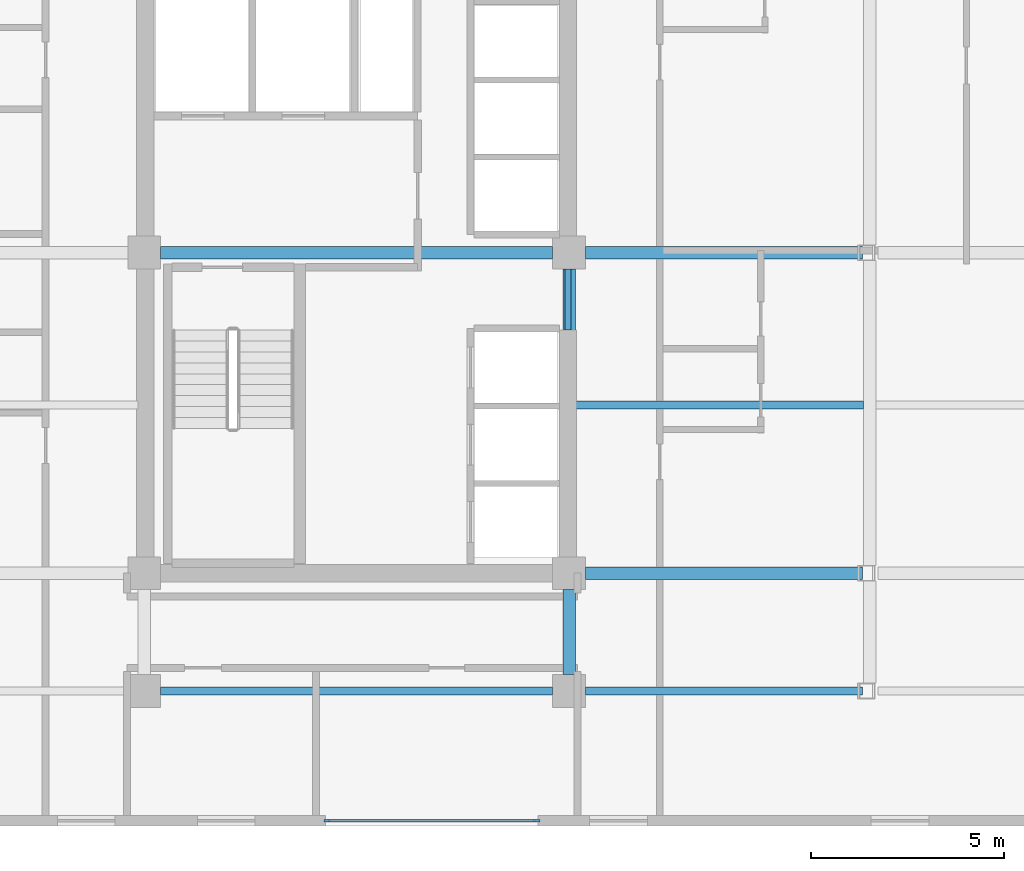
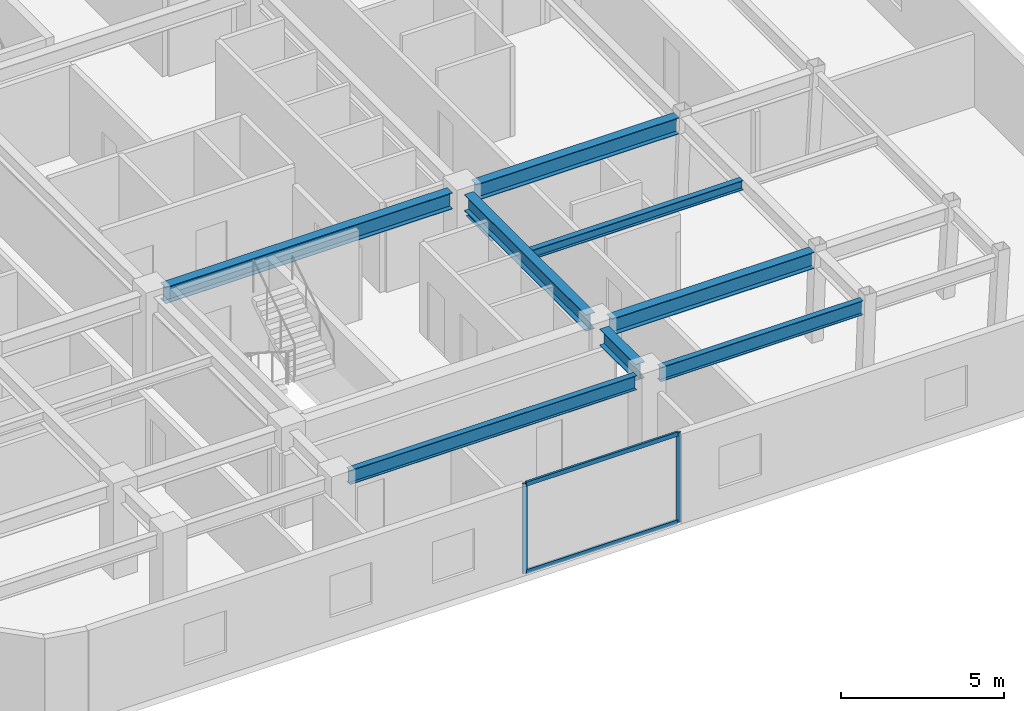
# One storey, part 2 of 9: 9 beams, 4 members, 1 element without a shape of its own.
"""IFC4 building model written with IfcOpenShell, lengths in metres."""

from ifc_helpers import new_model, si_unit, direction, frame, origin, origin_2d, place, context, subcontext, project, spatial, rectangle, i_section, extrude, material, layer, layer_set, material_profile, profile_set, type_object, element, aggregate, save


model = new_model("IFC4")

# Units and contexts
model_context = context("Model", 3, precision=1e-05, world=origin(), true_north=direction((0.0, 1.0)))
body_context = subcontext(model_context, "Body", "Model", "MODEL_VIEW")
ifc_project = project(units=[si_unit("LENGTHUNIT", "METRE"), si_unit("AREAUNIT", "SQUARE_METRE"), si_unit("VOLUMEUNIT", "CUBIC_METRE"), si_unit("PLANEANGLEUNIT", "RADIAN"), si_unit("MASSUNIT", "GRAM", prefix="KILO")], contexts=[model_context])

# Site, building, storey
site_placement = place(None, origin())
site = spatial("IfcSite", under=ifc_project, at=site_placement, CompositionType="ELEMENT")
building_placement = place(site_placement, origin())
building = spatial("IfcBuilding", under=site, at=building_placement, Name="Ochreholt Gables", CompositionType="ELEMENT")
storey_placement = place(building_placement, frame((0.0, 0.0, 84.0)))
storey = spatial("IfcBuildingStorey", under=building, at=storey_placement, Name="L21", CompositionType="ELEMENT", Elevation=84.0)

# Beams
ifc_material_1 = material(Name="Steel CSA G40.21 350W", Category="steel")
ifc_material_profile_1 = material_profile(ifc_material_1, i_section(OverallWidth=0.323974609375, OverallDepth=0.611083984375, WebThickness=0.0126953125, FlangeThickness=0.01904296875, at=origin_2d()), Name="W610X155")
ifc_profile_set_1 = profile_set([ifc_material_profile_1], Name="Steel CSA G40.21 350W")
beam_type_1 = type_object("IfcBeamType", Name="BM-G-W610A", PredefinedType="BEAM", material=ifc_profile_set_1)
beam_1_placement = place(storey_placement, frame((35.62451171875, 9.25, 3.054443359375), z_axis=(1.0, 0.0, 0.0), x_axis=(0.0, 1.0, 0.0)))
element("IfcBeam", 1, at=beam_1_placement, inside=storey, type_object=beam_type_1, Name="L21 Beam TBG-L21-C2EM-Y2", PredefinedType="BEAM", context=body_context, shape_type="SweptSolid", body=[
    extrude(i_section(OverallWidth=0.323974609375, OverallDepth=0.611083984375, WebThickness=0.0126953125, FlangeThickness=0.01904296875, at=origin_2d()), origin(), (0.0, 0.0, 1.0), 7.1748046875),
])
beam_2_placement = place(storey_placement, frame((24.62451171875, 17.550048828125, 3.054443359375), z_axis=(1.0, 0.0, 0.0), x_axis=(0.0, 1.0, 0.0)))
element("IfcBeam", 2, at=beam_2_placement, inside=storey, type_object=beam_type_1, Name="L21 Beam TBG-L21-C1C2-Y3", PredefinedType="BEAM", context=body_context, shape_type="SweptSolid", body=[
    extrude(i_section(OverallWidth=0.323974609375, OverallDepth=0.611083984375, WebThickness=0.0126953125, FlangeThickness=0.01904296875, at=origin_2d()), origin(), (0.0, 0.0, 1.0), 10.15087890625),
])
beam_3_placement = place(storey_placement, frame((35.62451171875, 17.550048828125, 3.054443359375), z_axis=(1.0, 0.0, 0.0), x_axis=(0.0, 1.0, 0.0)))
element("IfcBeam", 3, at=beam_3_placement, inside=storey, type_object=beam_type_1, Name="L21 Beam TBG-L21-C2EM-Y3", PredefinedType="BEAM", context=body_context, shape_type="SweptSolid", body=[
    extrude(i_section(OverallWidth=0.323974609375, OverallDepth=0.611083984375, WebThickness=0.0126953125, FlangeThickness=0.01904296875, at=origin_2d()), origin(), (0.0, 0.0, 1.0), 7.1748046875),
])
beam_4_placement = place(storey_placement, frame((35.199951171875, 6.62451171875, 3.054443359375), z_axis=(0.0, 1.0, 0.0), x_axis=(-1.0, 0.0, 0.0)))
element("IfcBeam", 4, at=beam_4_placement, inside=storey, type_object=beam_type_1, Name="L21 Beam TBN-L21-C2-Y1Y2", PredefinedType="BEAM", context=body_context, shape_type="SweptSolid", body=[
    extrude(i_section(OverallWidth=0.323974609375, OverallDepth=0.611083984375, WebThickness=0.0126953125, FlangeThickness=0.01904296875, at=origin_2d()), origin(), (0.0, 0.0, 1.0), 2.200927734375),
])
beam_5_placement = place(storey_placement, frame((35.199951171875, 9.674560546875, 3.054443359375), z_axis=(0.0, 1.0, 0.0), x_axis=(-1.0, 0.0, 0.0)))
element("IfcBeam", 5, at=beam_5_placement, inside=storey, type_object=beam_type_1, Name="L21 Beam TBN-L21-C2-Y2Y3", PredefinedType="BEAM", context=body_context, shape_type="SweptSolid", body=[
    extrude(i_section(OverallWidth=0.323974609375, OverallDepth=0.611083984375, WebThickness=0.0126953125, FlangeThickness=0.01904296875, at=origin_2d()), origin(), (0.0, 0.0, 1.0), 7.450927734375),
])
ifc_material_profile_2 = material_profile(ifc_material_1, i_section(OverallWidth=0.205078125, OverallDepth=0.35400390625, WebThickness=0.009521484375, FlangeThickness=0.016845703125, at=origin_2d()), Name="W360X79")
ifc_profile_set_2 = profile_set([ifc_material_profile_2], Name="Steel CSA G40.21 350W")
beam_type_2 = type_object("IfcBeamType", Name="BM-J-W360A", PredefinedType="JOIST", material=ifc_profile_set_2)
beam_6_placement = place(storey_placement, frame((35.361572265625, 13.60009765625, 3.18310546875), z_axis=(1.0, 0.0, 0.0), x_axis=(0.0, 1.0, 0.0)))
element("IfcBeam", 6, at=beam_6_placement, inside=storey, type_object=beam_type_2, Name="L21 Beam TBJ-L21-J1-C2EM", PredefinedType="JOIST", context=body_context, shape_type="SweptSolid", body=[
    extrude(i_section(OverallWidth=0.205078125, OverallDepth=0.35400390625, WebThickness=0.009521484375, FlangeThickness=0.016845703125, at=origin_2d()), origin(), (0.0, 0.0, 1.0), 7.461669921875),
])
ifc_material_profile_3 = material_profile(ifc_material_1, i_section(OverallWidth=0.1650390625, OverallDepth=0.200927734375, WebThickness=0.006103515625, FlangeThickness=0.01025390625, at=origin_2d()), Name="W200X36")
ifc_profile_set_3 = profile_set([ifc_material_profile_3], Name="Steel CSA G40.21 350W")
beam_type_3 = type_object("IfcBeamType", Name="BM-LIN-W200", PredefinedType="LINTEL", material=ifc_profile_set_3)
beam_7_placement = place(storey_placement, frame((35.175048828125, 15.550048828125, 2.6484375), z_axis=(0.0, 1.0, 0.0), x_axis=(-1.0, 0.0, 0.0)))
element("IfcBeam", 7, at=beam_7_placement, inside=storey, type_object=beam_type_3, Name="L21 Core Coupling Lintel CPS", PredefinedType="LINTEL", context=body_context, shape_type="SweptSolid", body=[
    extrude(i_section(OverallWidth=0.1650390625, OverallDepth=0.200927734375, WebThickness=0.006103515625, FlangeThickness=0.01025390625, at=origin_2d()), origin(), (0.0, 0.0, 1.0), 1.574951171875),
])
ifc_material_profile_4 = material_profile(ifc_material_1, i_section(OverallWidth=0.208984375, OverallDepth=0.532958984375, WebThickness=0.01025390625, FlangeThickness=0.015625, at=origin_2d()), Name="W530X92")
ifc_profile_set_4 = profile_set([ifc_material_profile_4], Name="Steel CSA G40.21 350W")
beam_type_4 = type_object("IfcBeamType", Name="BM-SP-W530B", PredefinedType="SPANDREL", material=ifc_profile_set_4)
beam_8_placement = place(storey_placement, frame((24.62451171875, 6.199951171875, 3.093505859375), z_axis=(1.0, 0.0, 0.0), x_axis=(0.0, 1.0, 0.0)))
element("IfcBeam", 8, at=beam_8_placement, inside=storey, type_object=beam_type_4, Name="L21 Beam TBG-L21-C1C2-Y1", PredefinedType="SPANDREL", context=body_context, shape_type="SweptSolid", body=[
    extrude(i_section(OverallWidth=0.208984375, OverallDepth=0.532958984375, WebThickness=0.01025390625, FlangeThickness=0.015625, at=origin_2d()), origin(), (0.0, 0.0, 1.0), 10.15087890625),
])
beam_9_placement = place(storey_placement, frame((35.62451171875, 6.199951171875, 3.093505859375), z_axis=(1.0, 0.0, 0.0), x_axis=(0.0, 1.0, 0.0)))
element("IfcBeam", 9, at=beam_9_placement, inside=storey, type_object=beam_type_4, Name="L21 Beam TBG-L21-C2EM-Y1", PredefinedType="SPANDREL", context=body_context, shape_type="SweptSolid", body=[
    extrude(i_section(OverallWidth=0.208984375, OverallDepth=0.532958984375, WebThickness=0.01025390625, FlangeThickness=0.015625, at=origin_2d()), origin(), (0.0, 0.0, 1.0), 7.1748046875),
])

# Curtain wall, members
ifc_material_2 = material(Name="Unitised Aluminium and Triple Glazing", Category="aluminium")
ifc_layer = layer(ifc_material_2, 0.18994140625, Name="Unitised Aluminium and Triple Glazing")
ifc_layer_set = layer_set([ifc_layer], Name="Unitised Aluminium and Triple Glazing")
curtain_wall_type = type_object("IfcCurtainWallType", Name="CW-SYS3", PredefinedType="NOTDEFINED", material=ifc_layer_set)
curtain_wall_placement = place(storey_placement, origin())
curtain_wall = element("IfcCurtainWall", 10, at=curtain_wall_placement, inside=storey, type_object=curtain_wall_type, Name="L21 South Unitised Curtain Wall", PredefinedType="NOTDEFINED")
ifc_material_3 = material(Name="Anodized Aluminium 6063-T6", Category="aluminium")
ifc_material_profile_5 = material_profile(ifc_material_3, rectangle(XDim=0.06494140625, YDim=0.1650390625, at=origin_2d()), Name="CWM65X165")
ifc_profile_set_5 = profile_set([ifc_material_profile_5], Name="Anodized Aluminium 6063-T6")
member_type_1 = type_object("IfcMemberType", Name="CW-MUL-B", PredefinedType="MULLION", material=ifc_profile_set_5)
member_1_placement = place(storey_placement, frame((28.933837890625, 2.840087890625, 0.0), z_axis=(0.0, 0.0, 1.0), x_axis=(0.0, 1.0, 0.0)))
member_1 = element("IfcMember", 11, at=member_1_placement, type_object=member_type_1, Name="CW-3 mullion 1", PredefinedType="MULLION", context=body_context, shape_type="SweptSolid", body=[
    extrude(rectangle(XDim=0.06494140625, YDim=0.1650390625, at=origin_2d()), origin(), (0.0, 0.0, 1.0), 3.360107421875),
])
member_2_placement = place(storey_placement, frame((34.367431640625, 2.840087890625, 0.0), z_axis=(0.0, 0.0, 1.0), x_axis=(0.0, 1.0, 0.0)))
member_2 = element("IfcMember", 12, at=member_2_placement, type_object=member_type_1, Name="CW-3 mullion 2", PredefinedType="MULLION", context=body_context, shape_type="SweptSolid", body=[
    extrude(rectangle(XDim=0.06494140625, YDim=0.1650390625, at=origin_2d()), origin(), (0.0, 0.0, 1.0), 3.360107421875),
])
ifc_material_profile_6 = material_profile(ifc_material_3, rectangle(XDim=0.074951171875, YDim=0.159912109375, at=origin_2d()), Name="CWT75X160")
ifc_profile_set_6 = profile_set([ifc_material_profile_6], Name="Anodized Aluminium 6063-T6")
member_type_2 = type_object("IfcMemberType", Name="CW-TRN-A", PredefinedType="USERDEFINED", material=ifc_profile_set_6)
member_3_placement = place(storey_placement, frame((28.96630859375, 2.840087890625, 0.03759765625), z_axis=(1.0, 0.0, 0.0), x_axis=(0.0, 1.0, 0.0)))
member_3 = element("IfcMember", 13, at=member_3_placement, type_object=member_type_2, Name="CW-3 transom 1.1", ObjectType="TRANSOM", PredefinedType="USERDEFINED", context=body_context, shape_type="SweptSolid", body=[
    extrude(rectangle(XDim=0.074951171875, YDim=0.159912109375, at=origin_2d()), origin(), (0.0, 0.0, 1.0), 5.36865234375),
])
member_4_placement = place(storey_placement, frame((28.96630859375, 2.840087890625, 3.322509765625), z_axis=(1.0, 0.0, 0.0), x_axis=(0.0, 1.0, 0.0)))
member_4 = element("IfcMember", 14, at=member_4_placement, type_object=member_type_2, Name="CW-3 transom 1.2", ObjectType="TRANSOM", PredefinedType="USERDEFINED", context=body_context, shape_type="SweptSolid", body=[
    extrude(rectangle(XDim=0.074951171875, YDim=0.159912109375, at=origin_2d()), origin(), (0.0, 0.0, 1.0), 5.36865234375),
])
aggregate(curtain_wall, [member_1, member_2, member_3, member_4])

save(model, "model.ifc")
